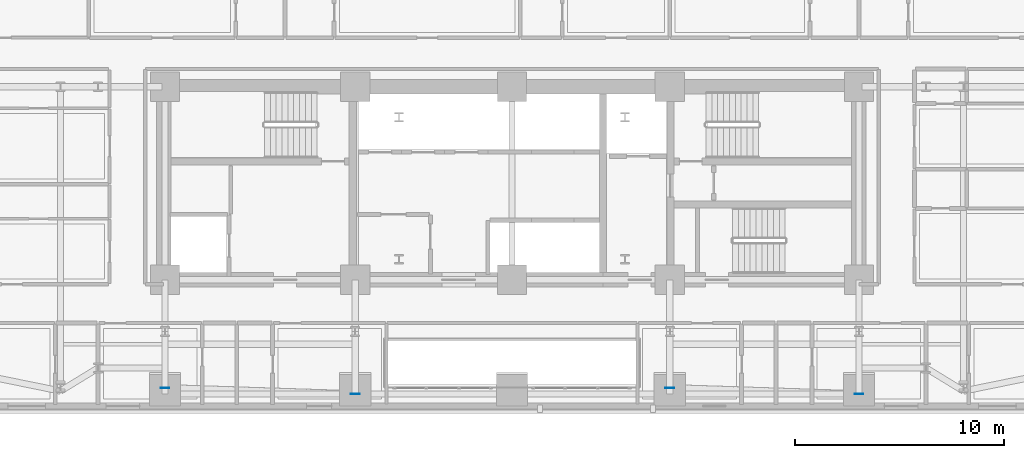
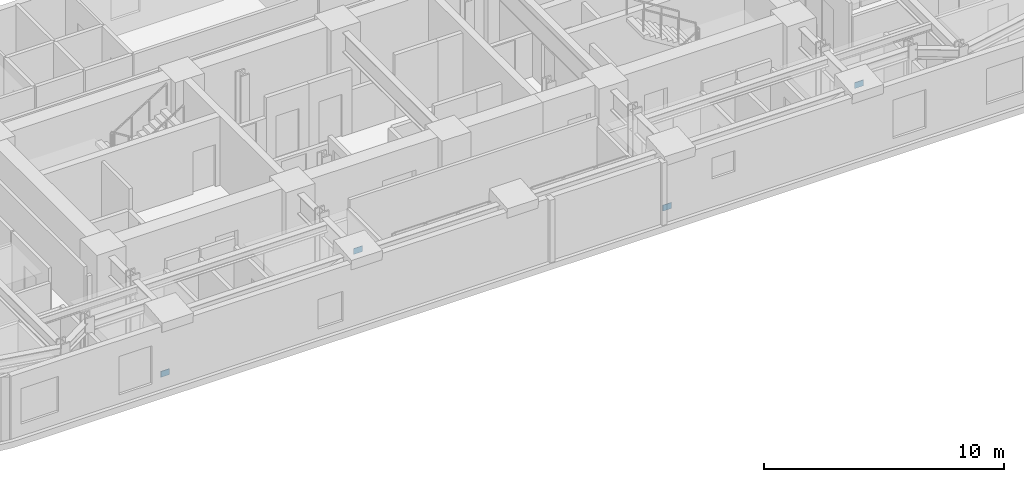
# One storey, part 6 of 16: 4 plates.
"""IFC4 building model written with IfcOpenShell, lengths in metres."""

from ifc_helpers import new_model, si_unit, direction, frame, origin, origin_2d, place, context, subcontext, project, spatial, rectangle, extrude, material, layer, layer_set, type_object, element, save


model = new_model("IFC4")

# Units and contexts
model_context = context("Model", 3, precision=1e-05, world=origin(), true_north=direction((0.0, 1.0)))
body_context = subcontext(model_context, "Body", "Model", "MODEL_VIEW")
ifc_project = project(units=[si_unit("LENGTHUNIT", "METRE"), si_unit("AREAUNIT", "SQUARE_METRE"), si_unit("VOLUMEUNIT", "CUBIC_METRE"), si_unit("PLANEANGLEUNIT", "RADIAN"), si_unit("MASSUNIT", "GRAM", prefix="KILO")], contexts=[model_context])

# Site, building, storey
site_placement = place(None, origin())
site = spatial("IfcSite", under=ifc_project, at=site_placement, CompositionType="ELEMENT")
building_placement = place(site_placement, origin())
building = spatial("IfcBuilding", under=site, at=building_placement, Name="Zarnavel Station Tower", CompositionType="ELEMENT")
storey_placement = place(building_placement, frame((0.0, 0.0, 39.5)))
storey = spatial("IfcBuildingStorey", under=building, at=storey_placement, Name="L10", CompositionType="ELEMENT", Elevation=39.5)

# Plates
ifc_material = material(Name="Steel S460M", Category="steel")
ifc_layer = layer(ifc_material, 0.02490234375)
ifc_layer_set = layer_set([ifc_layer], Name="GP_GUSSET_25")
plate_type = type_object("IfcPlateType", Name="GP_GUSSET_25", PredefinedType="USERDEFINED", material=ifc_layer_set)
for number, where, z_axis, x_axis, name in (
    (1, (12.199951171875, 22.6484375, -0.14990234375), (0.0, 0.0, 1.0), (1.0, 0.0, 0.0), "L10 Exterior Diagonal Brace End Gusset 1-1"),
    (2, (21.300048828125, 22.35498046875, 3.08984375), (0.0, 0.0, 1.0), (1.0, 0.0, 0.0), "L10 Exterior Diagonal Brace End Gusset 1-2"),
    (3, (36.35009765625, 22.6484375, -0.14990234375), (0.0, 0.0, 1.0), (1.0, 0.0, 0.0), "L10 Exterior Diagonal Brace End Gusset 2-1"),
    (4, (45.39990234375, 22.35498046875, 3.08984375), (0.0, 0.0, 1.0), (1.0, 0.0, 0.0), "L10 Exterior Diagonal Brace End Gusset 2-2"),
):
    element("IfcPlate", number, at=place(storey_placement, frame(where, z_axis=z_axis, x_axis=x_axis)), inside=storey, type_object=plate_type, Name=name, ObjectType="GUSSET_PLATE", PredefinedType="USERDEFINED", context=body_context, shape_type="SweptSolid", body=[
        extrude(rectangle(XDim=0.419921875, YDim=0.02490234375, at=origin_2d()), origin(), (0.0, 0.0, 1.0), 0.300048828125),
    ])

save(model, "model.ifc")
